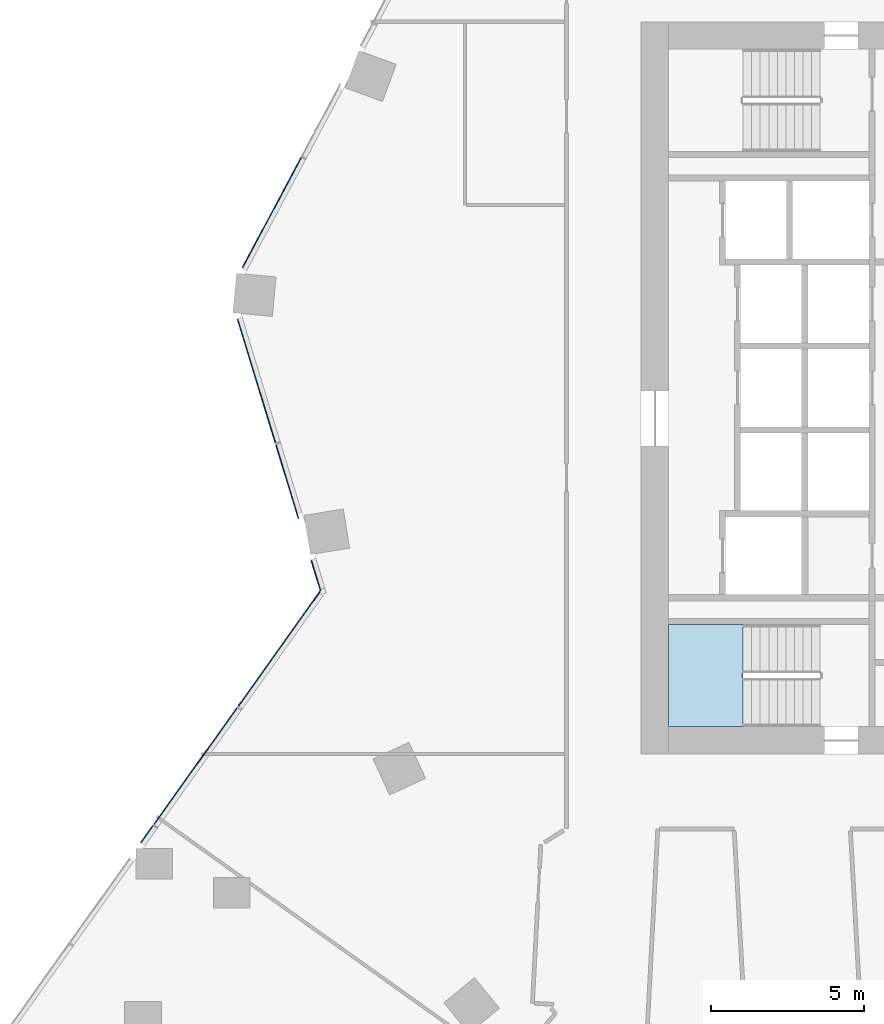
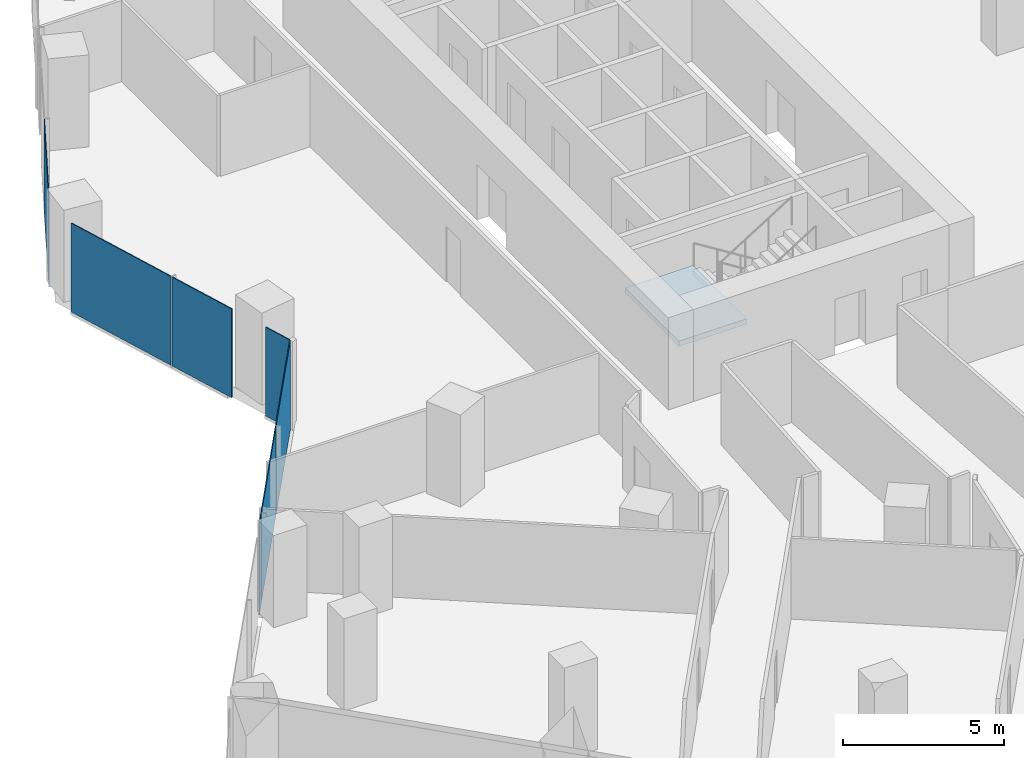
# One storey, part 18 of 31: 7 plates, 1 slab, 4 elements without a shape of their own.
"""IFC4 building model written with IfcOpenShell, lengths in metres."""

from ifc_helpers import new_model, si_unit, direction, frame, origin, origin_2d, place, context, subcontext, project, spatial, polyline, rectangle, outline, extrude, material, layer, layer_set, type_object, element, aggregate, save


model = new_model("IFC4")

# Units and contexts
model_context = context("Model", 3, precision=1e-05, world=origin(), true_north=direction((0.0, 1.0)))
body_context = subcontext(model_context, "Body", "Model", "MODEL_VIEW")
ifc_project = project(units=[si_unit("LENGTHUNIT", "METRE"), si_unit("AREAUNIT", "SQUARE_METRE"), si_unit("VOLUMEUNIT", "CUBIC_METRE"), si_unit("PLANEANGLEUNIT", "RADIAN"), si_unit("MASSUNIT", "GRAM", prefix="KILO")], contexts=[model_context])

# Site, building, storey
site_placement = place(None, origin())
site = spatial("IfcSite", under=ifc_project, at=site_placement, CompositionType="ELEMENT")
building_placement = place(site_placement, origin())
building = spatial("IfcBuilding", under=site, at=building_placement, Name="Orlundy Tower", CompositionType="ELEMENT")
storey_placement = place(building_placement, frame((0.0, 0.0, 84.199951171875)))
storey = spatial("IfcBuildingStorey", under=building, at=storey_placement, Name="L20", CompositionType="ELEMENT", Elevation=84.199951171875)

# Curtain wall, plates
ifc_material_1 = material(Name="Aluminium bronze anodised", Category="aluminium")
curtain_wall_type = type_object("IfcCurtainWallType", Name="CW1 wall", PredefinedType="NOTDEFINED", material=ifc_material_1)
curtain_wall_1_placement = place(storey_placement, origin())
curtain_wall_1 = element("IfcCurtainWall", 1, at=curtain_wall_1_placement, inside=storey, type_object=curtain_wall_type, Name="CW1 run 00", PredefinedType="NOTDEFINED")
ifc_material_2 = material(Name="Tinted glass", Category="glass")
ifc_layer_1 = layer(ifc_material_2, 0.031982421875)
ifc_layer_set_1 = layer_set([ifc_layer_1], Name="CW1 glass panel 32")
plate_type = type_object("IfcPlateType", Name="CW1 glass panel 32", PredefinedType="CURTAIN_PANEL", material=ifc_layer_set_1)
plate_1_placement = place(storey_placement, frame((-35.197998046875, -14.62255859375, -0.27978515625), z_axis=(0.0, 0.0, 1.0), x_axis=(0.580700988829, 0.814116921316, 0.0)))
plate_1 = element("IfcPlate", 2, at=plate_1_placement, type_object=plate_type, Name="CW1 panel", PredefinedType="CURTAIN_PANEL", context=body_context, shape_type="SweptSolid", body=[
    extrude(rectangle(XDim=0.681640625, YDim=0.031982421875, at=origin_2d()), origin(), (0.0, 0.0, 1.0), 3.3798828125),
])
plate_2_placement = place(storey_placement, frame((-33.604736328125, -12.388916015625, -0.27978515625), z_axis=(0.0, 0.0, 1.0), x_axis=(0.580700988829, 0.814116921316, 0.0)))
plate_2 = element("IfcPlate", 3, at=plate_2_placement, type_object=plate_type, Name="CW1 panel", PredefinedType="CURTAIN_PANEL", context=body_context, shape_type="SweptSolid", body=[
    extrude(rectangle(XDim=4.70556640625, YDim=0.031982421875, at=origin_2d()), origin(), (0.0, 0.0, 1.0), 3.3798828125),
])
plate_3_placement = place(storey_placement, frame((-30.859375, -8.540283203125, -0.27978515625), z_axis=(0.0, 0.0, 1.0), x_axis=(0.580700988829, 0.814116921316, 0.0)))
plate_3 = element("IfcPlate", 4, at=plate_3_placement, type_object=plate_type, Name="CW1 panel", PredefinedType="CURTAIN_PANEL", context=body_context, shape_type="SweptSolid", body=[
    extrude(rectangle(XDim=4.649658203125, YDim=0.031982421875, at=origin_2d()), origin(), (0.0, 0.0, 1.0), 3.3798828125),
])
aggregate(curtain_wall_1, [plate_1, plate_2, plate_3])

curtain_wall_2_placement = place(storey_placement, origin())
curtain_wall_2 = element("IfcCurtainWall", 5, at=curtain_wall_2_placement, inside=storey, type_object=curtain_wall_type, Name="CW1 run 01", PredefinedType="NOTDEFINED")
plate_4_placement = place(storey_placement, frame((-29.660888671875, -6.15234375, -0.27978515625), z_axis=(0.0, 0.0, 1.0), x_axis=(-0.292389783533, 0.956299228529, 0.0)))
plate_4 = element("IfcPlate", 6, at=plate_4_placement, type_object=plate_type, Name="CW1 panel", PredefinedType="CURTAIN_PANEL", context=body_context, shape_type="SweptSolid", body=[
    extrude(rectangle(XDim=1.035888671875, YDim=0.031982421875, at=origin_2d()), origin(), (0.0, 0.0, 1.0), 3.3798828125),
])
plate_5_placement = place(storey_placement, frame((-30.603515625, -3.0693359375, -0.27978515625), z_axis=(0.0, 0.0, 1.0), x_axis=(-0.292389783533, 0.956299228529, 0.0)))
plate_5 = element("IfcPlate", 7, at=plate_5_placement, type_object=plate_type, Name="CW1 panel", PredefinedType="CURTAIN_PANEL", context=body_context, shape_type="SweptSolid", body=[
    extrude(rectangle(XDim=2.541015625, YDim=0.031982421875, at=origin_2d()), origin(), (0.0, 0.0, 1.0), 3.3798828125),
])
plate_6_placement = place(storey_placement, frame((-31.609619140625, 0.221435546875, -0.27978515625), z_axis=(0.0, 0.0, 1.0), x_axis=(-0.292389783533, 0.956299228529, 0.0)))
plate_6 = element("IfcPlate", 8, at=plate_6_placement, type_object=plate_type, Name="CW1 panel", PredefinedType="CURTAIN_PANEL", context=body_context, shape_type="SweptSolid", body=[
    extrude(rectangle(XDim=4.2412109375, YDim=0.031982421875, at=origin_2d()), origin(), (0.0, 0.0, 1.0), 3.3798828125),
])
aggregate(curtain_wall_2, [plate_4, plate_5, plate_6])

# Curtain wall, plate
curtain_wall_3_placement = place(storey_placement, origin())
curtain_wall_3 = element("IfcCurtainWall", 9, at=curtain_wall_3_placement, inside=storey, type_object=curtain_wall_type, Name="CW1 run 02", PredefinedType="NOTDEFINED")
plate_7_placement = place(storey_placement, frame((-31.10595703125, 5.74853515625, -0.27978515625), z_axis=(0.0, 0.0, 1.0), x_axis=(0.469445471129, 0.882961465544, 0.0)))
plate_7 = element("IfcPlate", 10, at=plate_7_placement, type_object=plate_type, Name="CW1 panel", PredefinedType="CURTAIN_PANEL", context=body_context, shape_type="SweptSolid", body=[
    extrude(rectangle(XDim=4.09326171875, YDim=0.031982421875, at=origin_2d()), origin(), (0.0, 0.0, 1.0), 3.3798828125),
])
aggregate(curtain_wall_3, [plate_7])

# Stair, slab
ifc_material_3 = material(Name="Concrete C50/60", Category="concrete")
stair_type = type_object("IfcStairType", Name="Exit Stair 20 risers", PredefinedType="HALF_TURN_STAIR", material=ifc_material_3)
stair_placement = place(storey_placement, origin())
stair = element("IfcStair", 11, at=stair_placement, inside=storey, type_object=stair_type, Name="L20 Exit Stair ST-W2", PredefinedType="HALF_TURN_STAIR")
ifc_material_4 = material(Name="Concrete C50/60", Category="concrete")
ifc_layer_2 = layer(ifc_material_4, 0.199951171875)
ifc_layer_set_2 = layer_set([ifc_layer_2], Name="Exit Stair Landing")
slab_type = type_object("IfcSlabType", Name="Exit Stair Landing", PredefinedType="LANDING", material=ifc_layer_set_2)
slab_placement = place(storey_placement, frame((0.0, 0.0, 1.550048828125)))
slab = element("IfcSlab", 12, at=slab_placement, type_object=slab_type, Name="ST-W2 landing 1", PredefinedType="LANDING", context=body_context, shape_type="SweptSolid", body=[
    extrude(outline(polyline([(-15.659912109375, -7.75), (-18.10009765625, -7.75), (-18.10009765625, -11.10009765625), (-15.659912109375, -11.10009765625), (-15.659912109375, -7.75)])), origin(), (0.0, 0.0, 1.0), 0.199951171875),
])
aggregate(stair, [slab])

save(model, "model.ifc")
